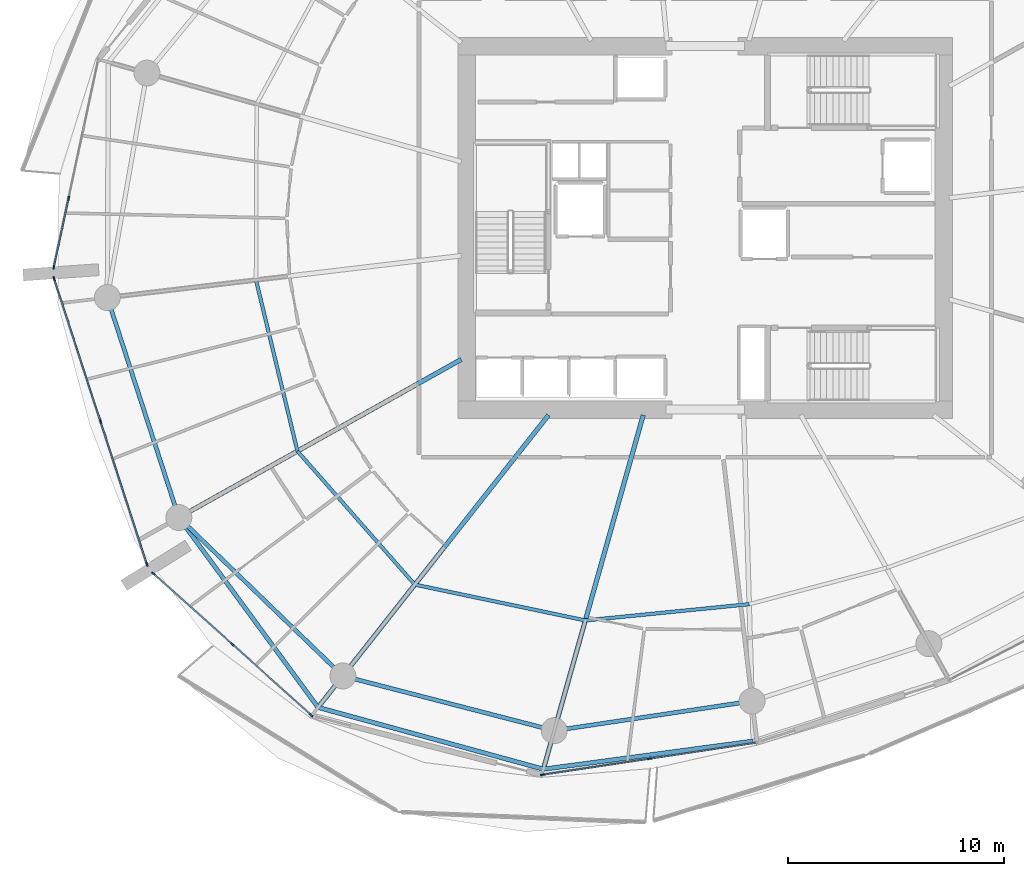
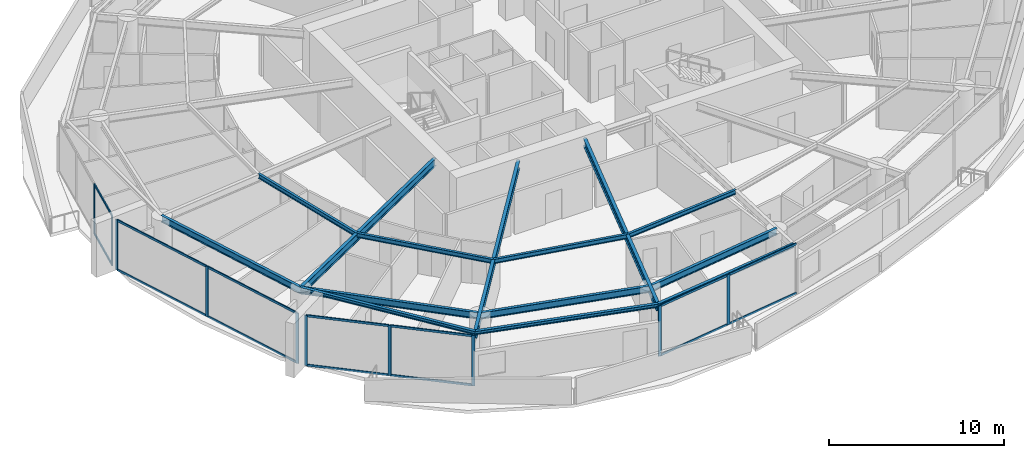
# One storey, part 5 of 23: 24 members, 14 beams, 4 elements without a shape of their own.
"""IFC4 building model written with IfcOpenShell, lengths in metres."""

from ifc_helpers import new_model, si_unit, direction, frame, origin, origin_2d, place, context, subcontext, project, spatial, rectangle, i_section, extrude, material, layer, layer_set, material_profile, profile_set, type_object, element, aggregate, save


model = new_model("IFC4")

# Units and contexts
model_context = context("Model", 3, precision=1e-05, world=origin(), true_north=direction((0.0, 1.0)))
body_context = subcontext(model_context, "Body", "Model", "MODEL_VIEW")
ifc_project = project(units=[si_unit("LENGTHUNIT", "METRE"), si_unit("AREAUNIT", "SQUARE_METRE"), si_unit("VOLUMEUNIT", "CUBIC_METRE"), si_unit("PLANEANGLEUNIT", "RADIAN"), si_unit("MASSUNIT", "GRAM", prefix="KILO")], contexts=[model_context])

# Site, building, storey
site_placement = place(None, origin())
site = spatial("IfcSite", under=ifc_project, at=site_placement, CompositionType="ELEMENT")
building_placement = place(site_placement, origin())
building = spatial("IfcBuilding", under=site, at=building_placement, Name="Kazma Halo Residences", CompositionType="ELEMENT")
storey_placement = place(building_placement, frame((0.0, 0.0, 82.64990234375)))
storey = spatial("IfcBuildingStorey", under=building, at=storey_placement, Name="L20", CompositionType="ELEMENT", Elevation=82.64990234375)

# Beams
ifc_material_1 = material(Name="Steel S355", Category="steel")
ifc_material_profile_1 = material_profile(ifc_material_1, i_section(OverallWidth=0.201904296875, OverallDepth=0.2470703125, WebThickness=0.00732421875, FlangeThickness=0.010986328125, FilletRadius=0.011962890625, at=origin_2d()), Name="W250x49.1")
ifc_profile_set_1 = profile_set([ifc_material_profile_1], Name="Steel S355")
beam_type_1 = type_object("IfcBeamType", Name="BM-BAL-CANT", PredefinedType="BEAM", material=ifc_profile_set_1)
beam_1_placement = place(storey_placement, frame((24.0966796875, 28.613525390625, 3.376708984375), z_axis=(0.59144927253, -0.806342209005, 0.0), x_axis=(0.806342209005, 0.59144927253, 0.0)))
element("IfcBeam", 1, at=beam_1_placement, inside=storey, type_object=beam_type_1, Name="L20 wave-balcony lead tie beam 09", PredefinedType="BEAM", context=body_context, shape_type="SweptSolid", body=[
    extrude(i_section(OverallWidth=0.201904296875, OverallDepth=0.2470703125, WebThickness=0.00732421875, FlangeThickness=0.010986328125, FilletRadius=0.011962890625, at=origin_2d()), origin(), (0.0, 0.0, 1.0), 10.87939453125),
])
beam_2_placement = place(storey_placement, frame((30.53125, 19.841064453125, 3.376708984375), z_axis=(0.964396617, -0.264460139, 0.0), x_axis=(0.264460139, 0.964396617, 0.0)))
element("IfcBeam", 2, at=beam_2_placement, inside=storey, type_object=beam_type_1, Name="L20 wave-balcony tie beam 10", PredefinedType="BEAM", context=body_context, shape_type="SweptSolid", body=[
    extrude(i_section(OverallWidth=0.201904296875, OverallDepth=0.2470703125, WebThickness=0.00732421875, FlangeThickness=0.010986328125, FilletRadius=0.011962890625, at=origin_2d()), origin(), (0.0, 0.0, 1.0), 10.79833984375),
])
beam_3_placement = place(storey_placement, frame((40.945068359375, 16.9853515625, 3.376708984375), z_axis=(0.991182511795, 0.13250369169, 0.0), x_axis=(-0.13250369169, 0.991182511795, 0.0)))
element("IfcBeam", 3, at=beam_3_placement, inside=storey, type_object=beam_type_1, Name="L20 wave-balcony tie beam 11", PredefinedType="BEAM", context=body_context, shape_type="SweptSolid", body=[
    extrude(i_section(OverallWidth=0.201904296875, OverallDepth=0.2470703125, WebThickness=0.00732421875, FlangeThickness=0.010986328125, FilletRadius=0.011962890625, at=origin_2d()), origin(), (0.0, 0.0, 1.0), 9.78369140625),
])
ifc_material_profile_2 = material_profile(ifc_material_1, i_section(OverallWidth=0.208984375, OverallDepth=0.532958984375, WebThickness=0.01025390625, FlangeThickness=0.015625, FilletRadius=0.01611328125, at=origin_2d()), Name="W530x92")
ifc_profile_set_2 = profile_set([ifc_material_profile_2], Name="Steel S355")
beam_type_2 = type_object("IfcBeamType", Name="BM-RAD-W530", PredefinedType="BEAM", material=ifc_profile_set_2)
beam_4_placement = place(storey_placement, frame((37.14990234375, 35.923583984375, 3.233642578125), z_axis=(-0.87249878074, -0.488616288724, 0.0), x_axis=(0.488616288724, -0.87249878074, 0.0)))
element("IfcBeam", 4, at=beam_4_placement, inside=storey, type_object=beam_type_2, Name="L20 radial floor beam 09", PredefinedType="BEAM", context=body_context, shape_type="SweptSolid", body=[
    extrude(i_section(OverallWidth=0.208984375, OverallDepth=0.532958984375, WebThickness=0.01025390625, FlangeThickness=0.015625, FilletRadius=0.01611328125, at=origin_2d()), origin(), (0.0, 0.0, 1.0), 14.960693359375),
])
beam_5_placement = place(storey_placement, frame((41.180908203125, 33.35009765625, 3.233642578125), z_axis=(-0.619093774822, -0.785317068436, 0.0), x_axis=(0.785317068436, -0.619093774822, 0.0)))
element("IfcBeam", 5, at=beam_5_placement, inside=storey, type_object=beam_type_2, Name="L20 radial floor beam 10", PredefinedType="BEAM", context=body_context, shape_type="SweptSolid", body=[
    extrude(i_section(OverallWidth=0.208984375, OverallDepth=0.532958984375, WebThickness=0.01025390625, FlangeThickness=0.015625, FilletRadius=0.01611328125, at=origin_2d()), origin(), (0.0, 0.0, 1.0), 17.201904296875),
])
beam_6_placement = place(storey_placement, frame((45.560302734375, 33.35009765625, 3.233642578125), z_axis=(-0.271434928076, -0.962456793742, 0.0), x_axis=(0.962456793742, -0.271434928076, 0.0)))
element("IfcBeam", 6, at=beam_6_placement, inside=storey, type_object=beam_type_2, Name="L20 radial floor beam 11", PredefinedType="BEAM", context=body_context, shape_type="SweptSolid", body=[
    extrude(i_section(OverallWidth=0.208984375, OverallDepth=0.532958984375, WebThickness=0.01025390625, FlangeThickness=0.015625, FilletRadius=0.01611328125, at=origin_2d()), origin(), (0.0, 0.0, 1.0), 17.003173828125),
])
ifc_material_profile_3 = material_profile(ifc_material_1, i_section(OverallWidth=0.1650390625, OverallDepth=0.31005859375, WebThickness=0.005859375, FlangeThickness=0.009765625, FilletRadius=0.011962890625, at=origin_2d()), Name="W310x38.7")
ifc_profile_set_3 = profile_set([ifc_material_profile_3], Name="Steel S355")
beam_type_3 = type_object("IfcBeamType", Name="BM-SEC-W310B", PredefinedType="JOIST", material=ifc_profile_set_3)
beam_7_placement = place(storey_placement, frame((27.6630859375, 39.593017578125, 3.34521484375), z_axis=(0.235442033286, -0.971888393264, 0.0), x_axis=(0.971888393264, 0.235442033286, 0.0)))
element("IfcBeam", 7, at=beam_7_placement, inside=storey, type_object=beam_type_3, Name="L20 circumferential floor joist 08", PredefinedType="JOIST", context=body_context, shape_type="SweptSolid", body=[
    extrude(i_section(OverallWidth=0.1650390625, OverallDepth=0.31005859375, WebThickness=0.005859375, FlangeThickness=0.009765625, FilletRadius=0.011962890625, at=origin_2d()), origin(), (0.0, 0.0, 1.0), 8.137939453125),
])
beam_8_placement = place(storey_placement, frame((29.5791015625, 31.683837890625, 3.34521484375), z_axis=(0.660379309564, -0.750932199003, 0.0), x_axis=(0.750932199003, 0.660379309564, 0.0)))
element("IfcBeam", 8, at=beam_8_placement, inside=storey, type_object=beam_type_3, Name="L20 circumferential floor joist 09", PredefinedType="JOIST", context=body_context, shape_type="SweptSolid", body=[
    extrude(i_section(OverallWidth=0.1650390625, OverallDepth=0.31005859375, WebThickness=0.005859375, FlangeThickness=0.009765625, FilletRadius=0.011962890625, at=origin_2d()), origin(), (0.0, 0.0, 1.0), 8.215087890625),
])
beam_9_placement = place(storey_placement, frame((35.004150390625, 25.514892578125, 3.34521484375), z_axis=(0.978607976751, -0.205733876255, 0.0), x_axis=(0.205733876255, 0.978607976751, 0.0)))
element("IfcBeam", 9, at=beam_9_placement, inside=storey, type_object=beam_type_3, Name="L20 circumferential floor joist 10", PredefinedType="JOIST", context=body_context, shape_type="SweptSolid", body=[
    extrude(i_section(OverallWidth=0.1650390625, OverallDepth=0.31005859375, WebThickness=0.005859375, FlangeThickness=0.009765625, FilletRadius=0.011962890625, at=origin_2d()), origin(), (0.0, 0.0, 1.0), 8.051513671875),
])
beam_10_placement = place(storey_placement, frame((42.883544921875, 23.8583984375, 3.34521484375), z_axis=(0.995106821048, 0.098804932586, 0.0), x_axis=(-0.098804932586, 0.995106821048, 0.0)))
element("IfcBeam", 10, at=beam_10_placement, inside=storey, type_object=beam_type_3, Name="L20 circumferential floor joist 11", PredefinedType="JOIST", context=body_context, shape_type="SweptSolid", body=[
    extrude(i_section(OverallWidth=0.1650390625, OverallDepth=0.31005859375, WebThickness=0.005859375, FlangeThickness=0.009765625, FilletRadius=0.011962890625, at=origin_2d()), origin(), (0.0, 0.0, 1.0), 7.610595703125),
])
ifc_material_profile_4 = material_profile(ifc_material_1, i_section(OverallWidth=0.18994140625, OverallDepth=0.45703125, WebThickness=0.009033203125, FlangeThickness=0.014404296875, FilletRadius=0.01611328125, at=origin_2d()), Name="W460x74")
ifc_profile_set_4 = profile_set([ifc_material_profile_4], Name="Steel S355")
beam_type_4 = type_object("IfcBeamType", Name="BM-SPN-W460", PredefinedType="BEAM", material=ifc_profile_set_4)
beam_11_placement = place(storey_placement, frame((20.79345703125, 38.77978515625, 3.271484375), z_axis=(0.309017385422, -0.951056389236, 0.0), x_axis=(0.951056389236, 0.309017385422, 0.0)))
element("IfcBeam", 11, at=beam_11_placement, inside=storey, type_object=beam_type_4, Name="L20 perimeter ring beam 08", PredefinedType="BEAM", context=body_context, shape_type="SweptSolid", body=[
    extrude(i_section(OverallWidth=0.18994140625, OverallDepth=0.45703125, WebThickness=0.009033203125, FlangeThickness=0.014404296875, FilletRadius=0.01611328125, at=origin_2d()), origin(), (0.0, 0.0, 1.0), 10.689453125),
])
beam_12_placement = place(storey_placement, frame((24.0966796875, 28.613525390625, 3.271484375), z_axis=(0.719336783114, -0.694661494873, 0.0), x_axis=(0.694661494873, 0.719336783114, 0.0)))
element("IfcBeam", 12, at=beam_12_placement, inside=storey, type_object=beam_type_4, Name="L20 perimeter ring beam 09", PredefinedType="BEAM", context=body_context, shape_type="SweptSolid", body=[
    extrude(i_section(OverallWidth=0.18994140625, OverallDepth=0.45703125, WebThickness=0.009033203125, FlangeThickness=0.014404296875, FilletRadius=0.01611328125, at=origin_2d()), origin(), (0.0, 0.0, 1.0), 10.537353515625),
])
beam_13_placement = place(storey_placement, frame((31.676513671875, 21.293701171875, 3.271484375), z_axis=(0.968124968683, -0.250467652626, 0.0), x_axis=(0.250467652626, 0.968124968683, 0.0)))
element("IfcBeam", 13, at=beam_13_placement, inside=storey, type_object=beam_type_4, Name="L20 perimeter ring beam 10", PredefinedType="BEAM", context=body_context, shape_type="SweptSolid", body=[
    extrude(i_section(OverallWidth=0.18994140625, OverallDepth=0.45703125, WebThickness=0.009033203125, FlangeThickness=0.014404296875, FilletRadius=0.01611328125, at=origin_2d()), origin(), (0.0, 0.0, 1.0), 10.092529296875),
])
beam_14_placement = place(storey_placement, frame((41.447265625, 18.765869140625, 3.271484375), z_axis=(0.989034176303, 0.147686824414, 0.0), x_axis=(-0.147686824414, 0.989034176303, 0.0)))
element("IfcBeam", 14, at=beam_14_placement, inside=storey, type_object=beam_type_4, Name="L20 perimeter ring beam 11", PredefinedType="BEAM", context=body_context, shape_type="SweptSolid", body=[
    extrude(i_section(OverallWidth=0.18994140625, OverallDepth=0.45703125, WebThickness=0.009033203125, FlangeThickness=0.014404296875, FilletRadius=0.01611328125, at=origin_2d()), origin(), (0.0, 0.0, 1.0), 9.242431640625),
])

# Curtain wall, members
ifc_material_2 = material(Name="Aluminium AW-6063 T6 and Triple-Silver Low-E Glass", Category="aluminium")
ifc_layer = layer(ifc_material_2, 0.199951171875)
ifc_layer_set = layer_set([ifc_layer], Name="Aluminium AW-6063 T6 and Triple-Silver Low-E Glass")
curtain_wall_type = type_object("IfcCurtainWallType", Name="CW-SYS-3", PredefinedType="NOTDEFINED", material=ifc_layer_set)
curtain_wall_1_placement = place(storey_placement, origin())
curtain_wall_1 = element("IfcCurtainWall", 15, at=curtain_wall_1_placement, inside=storey, type_object=curtain_wall_type, Name="L20 unitised curtain wall B07", PredefinedType="NOTDEFINED")
ifc_material_3 = material(Name="Aluminium AW-6063 T6", Category="aluminium")
ifc_material_profile_5 = material_profile(ifc_material_3, rectangle(XDim=0.070068359375, YDim=0.199951171875, at=origin_2d()), Name="CWM-70x200")
ifc_profile_set_5 = profile_set([ifc_material_profile_5], Name="Aluminium AW-6063 T6")
member_type_1 = type_object("IfcMemberType", Name="CW-SYS-3-MUL", PredefinedType="MULLION", material=ifc_profile_set_5)
member_1_placement = place(storey_placement, frame((19.004638671875, 43.36865234375, 0.0), z_axis=(0.0, 0.0, 1.0), x_axis=(0.977774176093, -0.209660822677, 0.0)))
member_1 = element("IfcMember", 16, at=member_1_placement, type_object=member_type_1, Name="CWS-3 mullion 3", PredefinedType="MULLION", context=body_context, shape_type="SweptSolid", body=[
    extrude(rectangle(XDim=0.070068359375, YDim=0.199951171875, at=origin_2d()), origin(), (0.0, 0.0, 1.0), 3.5),
])
member_2_placement = place(storey_placement, frame((18.323486328125, 40.192626953125, 0.0), z_axis=(0.0, 0.0, 1.0), x_axis=(0.977774176093, -0.209660822677, 0.0)))
member_2 = element("IfcMember", 17, at=member_2_placement, type_object=member_type_1, Name="CWS-3 mullion 4", PredefinedType="MULLION", context=body_context, shape_type="SweptSolid", body=[
    extrude(rectangle(XDim=0.070068359375, YDim=0.199951171875, at=origin_2d()), origin(), (0.0, 0.0, 1.0), 3.5),
])

curtain_wall_2_placement = place(storey_placement, origin())
curtain_wall_2 = element("IfcCurtainWall", 18, at=curtain_wall_2_placement, inside=storey, type_object=curtain_wall_type, Name="L20 unitised curtain wall B08", PredefinedType="NOTDEFINED")
member_3_placement = place(storey_placement, frame((18.334716796875, 39.6572265625, 0.0), z_axis=(0.0, 0.0, 1.0), x_axis=(0.951057722508, 0.309013282008, 0.0)))
member_3 = element("IfcMember", 19, at=member_3_placement, type_object=member_type_1, Name="CWS-3 mullion 1", PredefinedType="MULLION", context=body_context, shape_type="SweptSolid", body=[
    extrude(rectangle(XDim=0.070068359375, YDim=0.199951171875, at=origin_2d()), origin(), (0.0, 0.0, 1.0), 3.5),
])
member_4_placement = place(storey_placement, frame((20.47900390625, 33.057861328125, 0.0), z_axis=(0.0, 0.0, 1.0), x_axis=(0.951057722508, 0.309013282008, 0.0)))
member_4 = element("IfcMember", 20, at=member_4_placement, type_object=member_type_1, Name="CWS-3 mullion 2", PredefinedType="MULLION", context=body_context, shape_type="SweptSolid", body=[
    extrude(rectangle(XDim=0.070068359375, YDim=0.199951171875, at=origin_2d()), origin(), (0.0, 0.0, 1.0), 3.5),
])
member_5_placement = place(storey_placement, frame((22.623291015625, 26.45849609375, 0.0), z_axis=(0.0, 0.0, 1.0), x_axis=(0.951057722508, 0.309013282008, 0.0)))
member_5 = element("IfcMember", 21, at=member_5_placement, type_object=member_type_1, Name="CWS-3 mullion 3", PredefinedType="MULLION", context=body_context, shape_type="SweptSolid", body=[
    extrude(rectangle(XDim=0.070068359375, YDim=0.199951171875, at=origin_2d()), origin(), (0.0, 0.0, 1.0), 3.5),
])

curtain_wall_3_placement = place(storey_placement, origin())
curtain_wall_3 = element("IfcCurtainWall", 22, at=curtain_wall_3_placement, inside=storey, type_object=curtain_wall_type, Name="L20 unitised curtain wall B09", PredefinedType="NOTDEFINED")
member_6_placement = place(storey_placement, frame((22.928955078125, 26.018798828125, 0.0), z_axis=(0.0, 0.0, 1.0), x_axis=(0.667794957375, 0.744345279359, 0.0)))
member_6 = element("IfcMember", 23, at=member_6_placement, type_object=member_type_1, Name="CWS-3 mullion 1", PredefinedType="MULLION", context=body_context, shape_type="SweptSolid", body=[
    extrude(rectangle(XDim=0.070068359375, YDim=0.199951171875, at=origin_2d()), origin(), (0.0, 0.0, 1.0), 3.5),
])
member_7_placement = place(storey_placement, frame((26.568603515625, 22.75341796875, 0.0), z_axis=(0.0, 0.0, 1.0), x_axis=(0.667794957375, 0.744345279359, 0.0)))
member_7 = element("IfcMember", 24, at=member_7_placement, type_object=member_type_1, Name="CWS-3 mullion 2", PredefinedType="MULLION", context=body_context, shape_type="SweptSolid", body=[
    extrude(rectangle(XDim=0.070068359375, YDim=0.199951171875, at=origin_2d()), origin(), (0.0, 0.0, 1.0), 3.5),
])
member_8_placement = place(storey_placement, frame((30.208251953125, 19.48779296875, 0.0), z_axis=(0.0, 0.0, 1.0), x_axis=(0.667794957375, 0.744345279359, 0.0)))
member_8 = element("IfcMember", 25, at=member_8_placement, type_object=member_type_1, Name="CWS-3 mullion 3", PredefinedType="MULLION", context=body_context, shape_type="SweptSolid", body=[
    extrude(rectangle(XDim=0.070068359375, YDim=0.199951171875, at=origin_2d()), origin(), (0.0, 0.0, 1.0), 3.5),
])

curtain_wall_4_placement = place(storey_placement, origin())
curtain_wall_4 = element("IfcCurtainWall", 26, at=curtain_wall_4_placement, inside=storey, type_object=curtain_wall_type, Name="L20 unitised curtain wall B11", PredefinedType="NOTDEFINED")
member_9_placement = place(storey_placement, frame((40.90576171875, 16.728271484375, 0.0), z_axis=(0.0, 0.0, 1.0), x_axis=(-0.148717330409, 0.988879747814, 0.0)))
member_9 = element("IfcMember", 27, at=member_9_placement, type_object=member_type_1, Name="CWS-3 mullion 1", PredefinedType="MULLION", context=body_context, shape_type="SweptSolid", body=[
    extrude(rectangle(XDim=0.070068359375, YDim=0.199951171875, at=origin_2d()), origin(), (0.0, 0.0, 1.0), 3.5),
])
member_10_placement = place(storey_placement, frame((45.843017578125, 17.470703125, 0.0), z_axis=(0.0, 0.0, 1.0), x_axis=(-0.148717330409, 0.988879747814, 0.0)))
member_10 = element("IfcMember", 28, at=member_10_placement, type_object=member_type_1, Name="CWS-3 mullion 2", PredefinedType="MULLION", context=body_context, shape_type="SweptSolid", body=[
    extrude(rectangle(XDim=0.070068359375, YDim=0.199951171875, at=origin_2d()), origin(), (0.0, 0.0, 1.0), 3.5),
])

# Member
ifc_material_profile_6 = material_profile(ifc_material_3, rectangle(XDim=0.070068359375, YDim=0.14990234375, at=origin_2d()), Name="CWT-70x150")
ifc_profile_set_6 = profile_set([ifc_material_profile_6], Name="Aluminium AW-6063 T6")
member_type_2 = type_object("IfcMemberType", Name="CW-SYS-3-TRN", PredefinedType="USERDEFINED", material=ifc_profile_set_6)
member_11_placement = place(storey_placement, frame((18.997314453125, 43.33447265625, 0.03515625), z_axis=(-0.209717949017, -0.977761924939, 0.0), x_axis=(0.977761924939, -0.209717949017, 0.0)))
member_11 = element("IfcMember", 29, at=member_11_placement, type_object=member_type_2, Name="CWS-3 transom 3.1", ObjectType="TRANSOM", PredefinedType="USERDEFINED", context=body_context, shape_type="SweptSolid", body=[
    extrude(rectangle(XDim=0.070068359375, YDim=0.14990234375, at=origin_2d()), origin(), (0.0, 0.0, 1.0), 3.177978515625),
])

member_12_placement = place(storey_placement, frame((18.997314453125, 43.33447265625, 3.465087890625), z_axis=(-0.209717949017, -0.977761924939, 0.0), x_axis=(0.977761924939, -0.209717949017, 0.0)))
member_12 = element("IfcMember", 30, at=member_12_placement, type_object=member_type_2, Name="CWS-3 transom 3.2", ObjectType="TRANSOM", PredefinedType="USERDEFINED", context=body_context, shape_type="SweptSolid", body=[
    extrude(rectangle(XDim=0.070068359375, YDim=0.14990234375, at=origin_2d()), origin(), (0.0, 0.0, 1.0), 3.177978515625),
])

aggregate(curtain_wall_1, [member_1, member_2, member_11, member_12])

member_13_placement = place(storey_placement, frame((18.345458984375, 39.6240234375, 0.03515625), z_axis=(0.309000079699, -0.95106201204, 0.0), x_axis=(0.95106201204, 0.309000079699, 0.0)))
member_13 = element("IfcMember", 31, at=member_13_placement, type_object=member_type_2, Name="CWS-3 transom 1.1", ObjectType="TRANSOM", PredefinedType="USERDEFINED", context=body_context, shape_type="SweptSolid", body=[
    extrude(rectangle(XDim=0.070068359375, YDim=0.14990234375, at=origin_2d()), origin(), (0.0, 0.0, 1.0), 6.869140625),
])

member_14_placement = place(storey_placement, frame((18.345458984375, 39.6240234375, 3.465087890625), z_axis=(0.309000079699, -0.95106201204, 0.0), x_axis=(0.95106201204, 0.309000079699, 0.0)))
member_14 = element("IfcMember", 32, at=member_14_placement, type_object=member_type_2, Name="CWS-3 transom 1.2", ObjectType="TRANSOM", PredefinedType="USERDEFINED", context=body_context, shape_type="SweptSolid", body=[
    extrude(rectangle(XDim=0.070068359375, YDim=0.14990234375, at=origin_2d()), origin(), (0.0, 0.0, 1.0), 6.869140625),
])

member_15_placement = place(storey_placement, frame((20.48974609375, 33.024658203125, 0.03515625), z_axis=(0.309000079699, -0.95106201204, 0.0), x_axis=(0.95106201204, 0.309000079699, 0.0)))
member_15 = element("IfcMember", 33, at=member_15_placement, type_object=member_type_2, Name="CWS-3 transom 2.1", ObjectType="TRANSOM", PredefinedType="USERDEFINED", context=body_context, shape_type="SweptSolid", body=[
    extrude(rectangle(XDim=0.070068359375, YDim=0.14990234375, at=origin_2d()), origin(), (0.0, 0.0, 1.0), 6.869140625),
])

member_16_placement = place(storey_placement, frame((20.48974609375, 33.024658203125, 3.465087890625), z_axis=(0.309000079699, -0.95106201204, 0.0), x_axis=(0.95106201204, 0.309000079699, 0.0)))
member_16 = element("IfcMember", 34, at=member_16_placement, type_object=member_type_2, Name="CWS-3 transom 2.2", ObjectType="TRANSOM", PredefinedType="USERDEFINED", context=body_context, shape_type="SweptSolid", body=[
    extrude(rectangle(XDim=0.070068359375, YDim=0.14990234375, at=origin_2d()), origin(), (0.0, 0.0, 1.0), 6.869140625),
])

aggregate(curtain_wall_2, [member_3, member_4, member_5, member_13, member_14, member_15, member_16])

member_17_placement = place(storey_placement, frame((22.954833984375, 25.995361328125, 0.03515625), z_axis=(0.744338471453, -0.667802545603, 0.0), x_axis=(0.667802545603, 0.744338471453, 0.0)))
member_17 = element("IfcMember", 35, at=member_17_placement, type_object=member_type_2, Name="CWS-3 transom 1.1", ObjectType="TRANSOM", PredefinedType="USERDEFINED", context=body_context, shape_type="SweptSolid", body=[
    extrude(rectangle(XDim=0.070068359375, YDim=0.14990234375, at=origin_2d()), origin(), (0.0, 0.0, 1.0), 4.81982421875),
])

member_18_placement = place(storey_placement, frame((22.954833984375, 25.995361328125, 3.465087890625), z_axis=(0.744338471453, -0.667802545603, 0.0), x_axis=(0.667802545603, 0.744338471453, 0.0)))
member_18 = element("IfcMember", 36, at=member_18_placement, type_object=member_type_2, Name="CWS-3 transom 1.2", ObjectType="TRANSOM", PredefinedType="USERDEFINED", context=body_context, shape_type="SweptSolid", body=[
    extrude(rectangle(XDim=0.070068359375, YDim=0.14990234375, at=origin_2d()), origin(), (0.0, 0.0, 1.0), 4.81982421875),
])

member_19_placement = place(storey_placement, frame((26.5947265625, 22.72998046875, 0.03515625), z_axis=(0.744338471453, -0.667802545603, 0.0), x_axis=(0.667802545603, 0.744338471453, 0.0)))
member_19 = element("IfcMember", 37, at=member_19_placement, type_object=member_type_2, Name="CWS-3 transom 2.1", ObjectType="TRANSOM", PredefinedType="USERDEFINED", context=body_context, shape_type="SweptSolid", body=[
    extrude(rectangle(XDim=0.070068359375, YDim=0.14990234375, at=origin_2d()), origin(), (0.0, 0.0, 1.0), 4.81982421875),
])

member_20_placement = place(storey_placement, frame((26.5947265625, 22.72998046875, 3.465087890625), z_axis=(0.744338471453, -0.667802545603, 0.0), x_axis=(0.667802545603, 0.744338471453, 0.0)))
member_20 = element("IfcMember", 38, at=member_20_placement, type_object=member_type_2, Name="CWS-3 transom 2.2", ObjectType="TRANSOM", PredefinedType="USERDEFINED", context=body_context, shape_type="SweptSolid", body=[
    extrude(rectangle(XDim=0.070068359375, YDim=0.14990234375, at=origin_2d()), origin(), (0.0, 0.0, 1.0), 4.81982421875),
])

aggregate(curtain_wall_3, [member_6, member_7, member_8, member_17, member_18, member_19, member_20])

member_21_placement = place(storey_placement, frame((40.9404296875, 16.7333984375, 0.03515625), z_axis=(0.988876977991, 0.148735746878, 0.0), x_axis=(-0.148735746878, 0.988876977991, 0.0)))
member_21 = element("IfcMember", 39, at=member_21_placement, type_object=member_type_2, Name="CWS-3 transom 1.1", ObjectType="TRANSOM", PredefinedType="USERDEFINED", context=body_context, shape_type="SweptSolid", body=[
    extrude(rectangle(XDim=0.070068359375, YDim=0.14990234375, at=origin_2d()), origin(), (0.0, 0.0, 1.0), 4.922607421875),
])

member_22_placement = place(storey_placement, frame((40.9404296875, 16.7333984375, 3.465087890625), z_axis=(0.988876977991, 0.148735746878, 0.0), x_axis=(-0.148735746878, 0.988876977991, 0.0)))
member_22 = element("IfcMember", 40, at=member_22_placement, type_object=member_type_2, Name="CWS-3 transom 1.2", ObjectType="TRANSOM", PredefinedType="USERDEFINED", context=body_context, shape_type="SweptSolid", body=[
    extrude(rectangle(XDim=0.070068359375, YDim=0.14990234375, at=origin_2d()), origin(), (0.0, 0.0, 1.0), 4.922607421875),
])

member_23_placement = place(storey_placement, frame((45.87744140625, 17.47607421875, 0.03515625), z_axis=(0.988884271372, 0.148687248386, 0.0), x_axis=(-0.148687248386, 0.988884271372, 0.0)))
member_23 = element("IfcMember", 41, at=member_23_placement, type_object=member_type_2, Name="CWS-3 transom 2.1", ObjectType="TRANSOM", PredefinedType="USERDEFINED", context=body_context, shape_type="SweptSolid", body=[
    extrude(rectangle(XDim=0.070068359375, YDim=0.14990234375, at=origin_2d()), origin(), (0.0, 0.0, 1.0), 4.922607421875),
])

member_24_placement = place(storey_placement, frame((45.87744140625, 17.47607421875, 3.465087890625), z_axis=(0.988884271372, 0.148687248386, 0.0), x_axis=(-0.148687248386, 0.988884271372, 0.0)))
member_24 = element("IfcMember", 42, at=member_24_placement, type_object=member_type_2, Name="CWS-3 transom 2.2", ObjectType="TRANSOM", PredefinedType="USERDEFINED", context=body_context, shape_type="SweptSolid", body=[
    extrude(rectangle(XDim=0.070068359375, YDim=0.14990234375, at=origin_2d()), origin(), (0.0, 0.0, 1.0), 4.922607421875),
])

aggregate(curtain_wall_4, [member_9, member_10, member_21, member_22, member_23, member_24])

save(model, "model.ifc")
